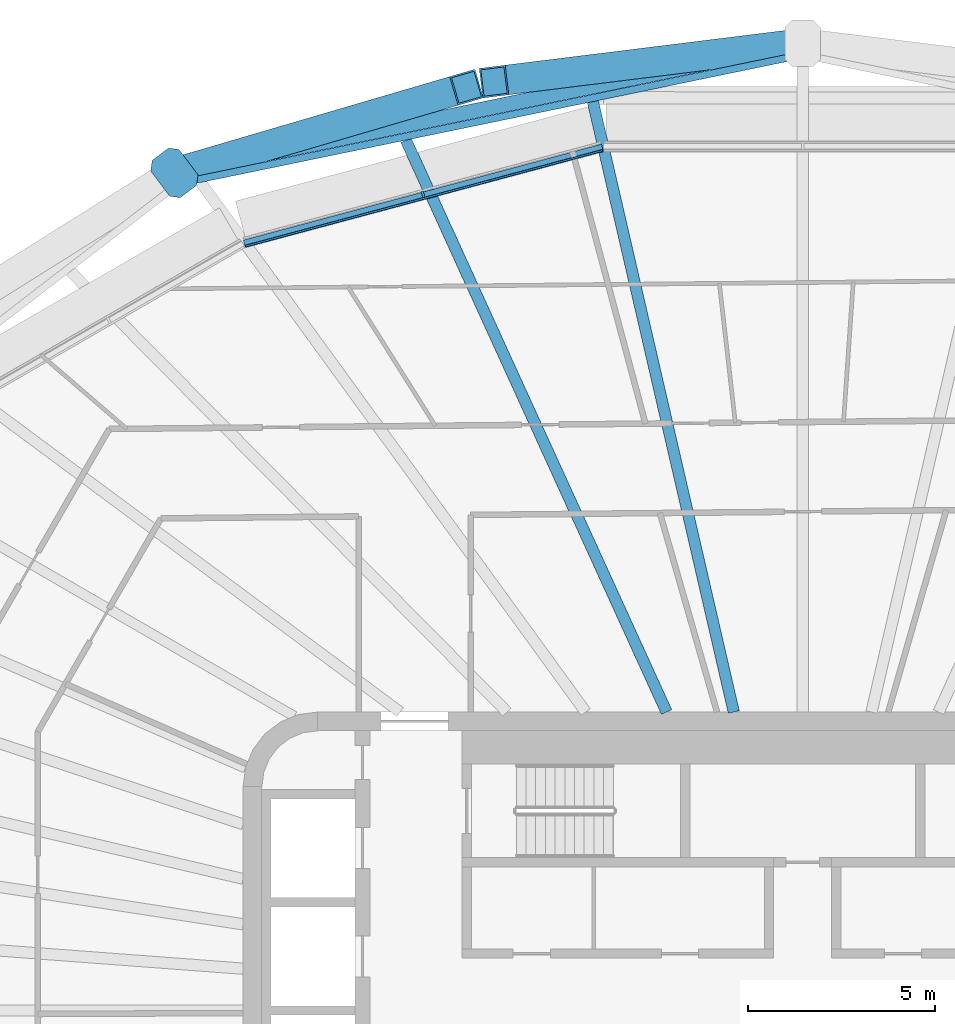
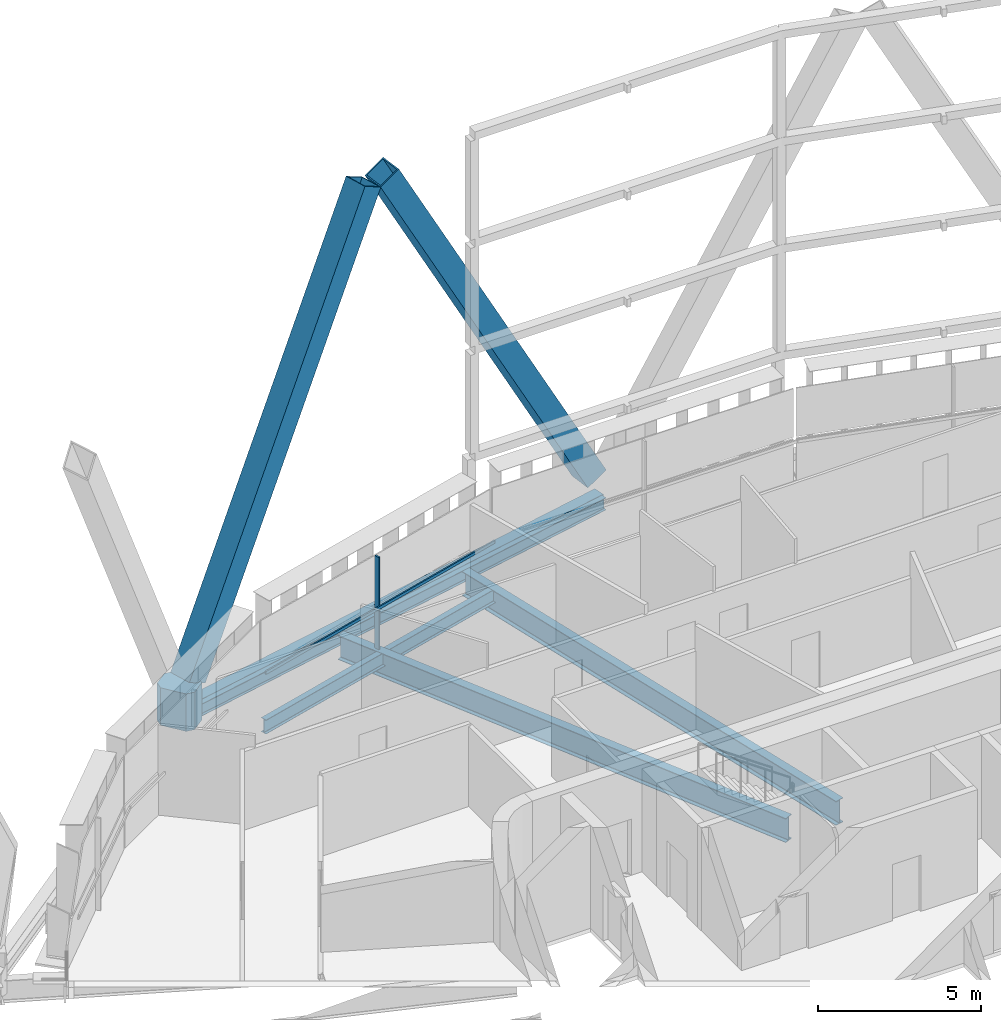
# One storey, part 6 of 25: 5 beams, 5 members, 1 element without a shape of its own.
"""IFC4 building model written with IfcOpenShell, lengths in metres."""

from ifc_helpers import new_model, si_unit, direction, frame, origin, origin_2d, place, context, subcontext, project, spatial, polyline, rectangle, hollow_rectangle, i_section, outline, extrude, material, layer, layer_set, material_profile, profile_set, type_object, element, aggregate, save


model = new_model("IFC4")

# Units and contexts
model_context = context("Model", 3, precision=1e-05, world=origin(), true_north=direction((0.0, 1.0)))
body_context = subcontext(model_context, "Body", "Model", "MODEL_VIEW")
ifc_project = project(units=[si_unit("LENGTHUNIT", "METRE"), si_unit("AREAUNIT", "SQUARE_METRE"), si_unit("VOLUMEUNIT", "CUBIC_METRE"), si_unit("PLANEANGLEUNIT", "RADIAN"), si_unit("MASSUNIT", "GRAM", prefix="KILO")], contexts=[model_context])

# Site, building, storey
site_placement = place(None, origin())
site = spatial("IfcSite", under=ifc_project, at=site_placement, CompositionType="ELEMENT")
building_placement = place(site_placement, origin())
building = spatial("IfcBuilding", under=site, at=building_placement, Name="Sahrelin Media Tower", CompositionType="ELEMENT")
storey_placement = place(building_placement, frame((0.0, 0.0, 181.60009765625)))
storey = spatial("IfcBuildingStorey", under=building, at=storey_placement, Name="L38", CompositionType="ELEMENT", Elevation=181.60009765625)

# Members
ifc_material_1 = material(Name="Steel S460", Category="steel")
ifc_material_profile_1 = material_profile(ifc_material_1, hollow_rectangle(XDim=0.800048828125, YDim=0.800048828125, WallThickness=0.044921875, at=origin_2d()), Name="Diagrid diagonal DG5")
ifc_profile_set_1 = profile_set([ifc_material_profile_1], Name="Steel S460")
member_type_1 = type_object("IfcMemberType", Name="Diagrid diagonal DG5", PredefinedType="BRACE", material=ifc_profile_set_1)
member_1_placement = place(storey_placement, frame((-0.37841796875, 25.877685546875, 0.699951171875), z_axis=(-0.474830701165, -0.058852752274, 0.878107145387), x_axis=(0.123003500545, -0.992406236807, 0.0)))
element("IfcMember", 1, at=member_1_placement, inside=storey, type_object=member_type_1, Name="Diagrid diagonal D08-06", PredefinedType="BRACE", context=body_context, shape_type="SweptSolid", body=[
    extrude(hollow_rectangle(XDim=0.800048828125, YDim=0.800048828125, WallThickness=0.044921875, at=origin_2d()), origin(), (0.0, 0.0, 1.0), 16.62646484375),
])
member_2_placement = place(storey_placement, frame((-16.482666015625, 22.556396484375, 0.699951171875), z_axis=(0.451607462442, 0.132407389178, 0.882337227571), x_axis=(-0.281348087818, 0.959605780246, 0.0)))
element("IfcMember", 2, at=member_2_placement, inside=storey, type_object=member_type_1, Name="Diagrid diagonal D08-07", PredefinedType="BRACE", context=body_context, shape_type="SweptSolid", body=[
    extrude(hollow_rectangle(XDim=0.800048828125, YDim=0.800048828125, WallThickness=0.044921875, at=origin_2d()), origin(), (0.0, 0.0, 1.0), 16.546875),
])
ifc_material_profile_2 = material_profile(ifc_material_1, outline(polyline([(0.425048828125, -0.47509765625), (0.625, -0.27490234375), (0.625, 0.27490234375), (0.425048828125, 0.47509765625), (-0.425048828125, 0.47509765625), (-0.625, 0.27490234375), (-0.625, -0.27490234375), (-0.425048828125, -0.47509765625), (0.425048828125, -0.47509765625)])), Name="Diagrid node block 1250")
ifc_profile_set_2 = profile_set([ifc_material_profile_2], Name="Steel S460")
member_type_2 = type_object("IfcMemberType", Name="Diagrid node block 1250", PredefinedType="USERDEFINED", material=ifc_profile_set_2)
member_3_placement = place(storey_placement, frame((-16.8408203125, 22.451416015625, -0.7001953125), z_axis=(0.0, 0.0, 1.0), x_axis=(-0.600051693363, 0.799961227368, 0.0)))
element("IfcMember", 3, at=member_3_placement, inside=storey, type_object=member_type_2, Name="Diagrid node N08-04", ObjectType="NODE", PredefinedType="USERDEFINED", context=body_context, shape_type="SweptSolid", body=[
    extrude(outline(polyline([(0.425048828125, -0.47509765625), (0.625, -0.27490234375), (0.625, 0.27490234375), (0.425048828125, 0.47509765625), (-0.425048828125, 0.47509765625), (-0.625, 0.27490234375), (-0.625, -0.27490234375), (-0.425048828125, -0.47509765625), (0.425048828125, -0.47509765625)])), origin(), (0.0, 0.0, 1.0), 1.400146484375),
])

# Beams
ifc_material_profile_3 = material_profile(ifc_material_1, hollow_rectangle(XDim=0.39990234375, YDim=0.60009765625, WallThickness=0.030029296875, at=origin_2d()), Name="Diagrid ring beam RB1")
ifc_profile_set_3 = profile_set([ifc_material_profile_3], Name="Steel S460")
beam_type_1 = type_object("IfcBeamType", Name="Diagrid ring beam RB1", PredefinedType="BEAM", material=ifc_profile_set_3)
beam_1_placement = place(storey_placement, frame((0.0, 25.9248046875, -0.4501953125), z_axis=(-0.979386216223, -0.201996632331, 0.0), x_axis=(0.201996632331, -0.979386216223, 0.0)))
element("IfcBeam", 4, at=beam_1_placement, inside=storey, type_object=beam_type_1, Name="Diagrid ring beam RB08-03", PredefinedType="BEAM", context=body_context, shape_type="SweptSolid", body=[
    extrude(hollow_rectangle(XDim=0.39990234375, YDim=0.60009765625, WallThickness=0.030029296875, at=origin_2d()), origin(), (0.0, 0.0, 1.0), 17.1953125),
])
ifc_material_2 = material(Name="Steel S355", Category="steel")
ifc_material_profile_4 = material_profile(ifc_material_2, i_section(OverallWidth=0.208740234375, OverallDepth=0.5283203125, WebThickness=0.009521484375, FlangeThickness=0.01318359375, FilletRadius=0.0126953125, at=origin_2d()), Name="UB 533x210x82")
ifc_profile_set_4 = profile_set([ifc_material_profile_4], Name="Steel S355")
beam_type_2 = type_object("IfcBeamType", Name="Edge beam EB6", PredefinedType="BEAM", material=ifc_profile_set_4)
beam_2_placement = place(storey_placement, frame((-14.964599609375, 20.548095703125, -0.414306640625), z_axis=(0.965925570778, 0.258819998681, 0.0), x_axis=(-0.258819998681, 0.965925570778, 0.0)))
element("IfcBeam", 5, at=beam_2_placement, inside=storey, type_object=beam_type_2, Name="Edge beam L38-18", PredefinedType="BEAM", context=body_context, shape_type="SweptSolid", body=[
    extrude(i_section(OverallWidth=0.208740234375, OverallDepth=0.5283203125, WebThickness=0.009521484375, FlangeThickness=0.01318359375, FilletRadius=0.0126953125, at=origin_2d()), origin(), (0.0, 0.0, 1.0), 9.9375),
])

# Curtain wall, member
ifc_material_3 = material(Name="Champagne anodised aluminium 6063-T6", Category="aluminium")
ifc_layer = layer(ifc_material_3, 0.14990234375)
ifc_layer_set = layer_set([ifc_layer], Name="Tower ribbon curtain wall")
curtain_wall_type = type_object("IfcCurtainWallType", Name="Tower ribbon curtain wall", PredefinedType="NOTDEFINED", material=ifc_layer_set)
curtain_wall_placement = place(storey_placement, frame((-10.2041015625, 21.97900390625, 0.0), z_axis=(0.0, 0.0, 1.0), x_axis=(1.0, 0.0, 0.0)))
curtain_wall = element("IfcCurtainWall", 6, at=curtain_wall_placement, inside=storey, type_object=curtain_wall_type, Name="L38:CW:L38-07", PredefinedType="NOTDEFINED")
ifc_material_profile_5 = material_profile(ifc_material_3, rectangle(XDim=0.06005859375, YDim=0.175048828125, at=origin_2d()), Name="Mullion 60x175")
ifc_profile_set_5 = profile_set([ifc_material_profile_5], Name="Champagne anodised aluminium 6063-T6")
member_type_3 = type_object("IfcMemberType", Name="Mullion 60x175 CW1B", PredefinedType="MULLION", material=ifc_profile_set_5)
member_4_placement = place(storey_placement, frame((-10.176025390625, 21.875, 0.0), z_axis=(0.0, 0.0, 1.0), x_axis=(-0.965927181449, -0.258813987523, 0.0)))
member_4 = element("IfcMember", 7, at=member_4_placement, type_object=member_type_3, Name="L38:CWM:L38-07", PredefinedType="MULLION", context=body_context, shape_type="SweptSolid", body=[
    extrude(rectangle(XDim=0.06005859375, YDim=0.175048828125, at=origin_2d()), origin(), (0.0, 0.0, 1.0), 3.448486328125),
])

# Beams
ifc_material_profile_6 = material_profile(ifc_material_2, i_section(OverallWidth=0.30322265625, OverallDepth=0.903076171875, WebThickness=0.01513671875, FlangeThickness=0.020263671875, FilletRadius=0.01904296875, at=origin_2d()), Name="UB 914x305x201")
ifc_profile_set_6 = profile_set([ifc_material_profile_6], Name="Steel S355")
beam_type_3 = type_object("IfcBeamType", Name="Radial primary beam PB11", PredefinedType="BEAM", material=ifc_profile_set_6)
beam_3_placement = place(storey_placement, frame((-1.84619140625, 8.0, -0.6015625), z_axis=(-0.224883929882, 0.974385559253, 0.0), x_axis=(-0.974385559253, -0.224883929882, 0.0)))
element("IfcBeam", 8, at=beam_3_placement, inside=storey, type_object=beam_type_3, Name="Radial beam L38-07", PredefinedType="BEAM", context=body_context, shape_type="SweptSolid", body=[
    extrude(i_section(OverallWidth=0.30322265625, OverallDepth=0.903076171875, WebThickness=0.01513671875, FlangeThickness=0.020263671875, FilletRadius=0.01904296875, at=origin_2d()), origin(), (0.0, 0.0, 1.0), 16.79150390625),
])
ifc_material_profile_7 = material_profile(ifc_material_2, i_section(OverallWidth=0.30322265625, OverallDepth=0.903076171875, WebThickness=0.01513671875, FlangeThickness=0.020263671875, FilletRadius=0.01904296875, at=origin_2d()), Name="UB 914x305x201")
ifc_profile_set_7 = profile_set([ifc_material_profile_7], Name="Steel S355")
beam_type_4 = type_object("IfcBeamType", Name="Radial secondary beam SB11", PredefinedType="BEAM", material=ifc_profile_set_7)
beam_4_placement = place(storey_placement, frame((-3.646728515625, 8.0, -0.6015625), z_axis=(-0.414778908088, 0.90992222602, 0.0), x_axis=(-0.90992222602, -0.414778908088, 0.0)))
element("IfcBeam", 9, at=beam_4_placement, inside=storey, type_object=beam_type_4, Name="Secondary beam L38-07", PredefinedType="BEAM", context=body_context, shape_type="SweptSolid", body=[
    extrude(i_section(OverallWidth=0.30322265625, OverallDepth=0.903076171875, WebThickness=0.01513671875, FlangeThickness=0.020263671875, FilletRadius=0.01904296875, at=origin_2d()), origin(), (0.0, 0.0, 1.0), 16.84521484375),
])
ifc_material_profile_8 = material_profile(ifc_material_2, i_section(OverallWidth=0.1904296875, OverallDepth=0.45703125, WebThickness=0.009033203125, FlangeThickness=0.014404296875, FilletRadius=0.01025390625, at=origin_2d()), Name="UB 457x191x74")
ifc_profile_set_8 = profile_set([ifc_material_profile_8], Name="Steel S355")
beam_type_5 = type_object("IfcBeamType", Name="Tie chord TC5", PredefinedType="BEAM", material=ifc_profile_set_8)
beam_5_placement = place(storey_placement, frame((-16.712646484375, 22.17138671875, -0.378662109375), z_axis=(0.979388253216, 0.201986755663, 0.0), x_axis=(-0.201986755663, 0.979388253216, 0.0)))
element("IfcBeam", 10, at=beam_5_placement, inside=storey, type_object=beam_type_5, Name="Tie chord L38-09", PredefinedType="BEAM", context=body_context, shape_type="SweptSolid", body=[
    extrude(i_section(OverallWidth=0.1904296875, OverallDepth=0.45703125, WebThickness=0.009033203125, FlangeThickness=0.014404296875, FilletRadius=0.01025390625, at=origin_2d()), origin(), (0.0, 0.0, 1.0), 17.064453125),
])

# Member
ifc_material_profile_9 = material_profile(ifc_material_3, rectangle(XDim=0.050048828125, YDim=0.110107421875, at=origin_2d()), Name="Transom 50x110")
ifc_profile_set_9 = profile_set([ifc_material_profile_9], Name="Champagne anodised aluminium 6063-T6")
member_type_4 = type_object("IfcMemberType", Name="Transom 50x110 CW1B", PredefinedType="USERDEFINED", material=ifc_profile_set_9)
member_5_placement = place(storey_placement, frame((-5.36279296875, 23.04833984375, 1.599853515625), z_axis=(-0.965930340572, -0.258802196983, 0.0), x_axis=(0.258802196983, -0.965930340572, 0.0)))
member_5 = element("IfcMember", 11, at=member_5_placement, type_object=member_type_4, Name="L38:CWT:L38-07", ObjectType="TRANSOM", PredefinedType="USERDEFINED", context=body_context, shape_type="SweptSolid", body=[
    extrude(rectangle(XDim=0.050048828125, YDim=0.110107421875, at=origin_2d()), origin(), (0.0, 0.0, 1.0), 9.906005859375),
])

aggregate(curtain_wall, [member_4, member_5])

save(model, "model.ifc")
